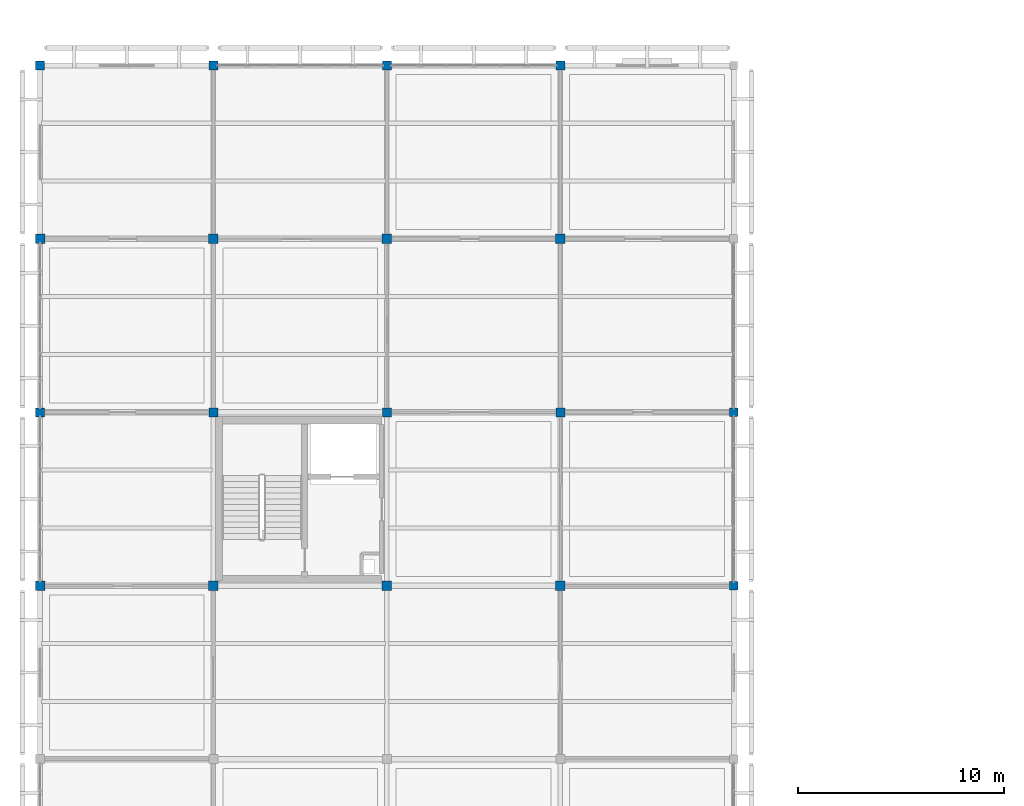
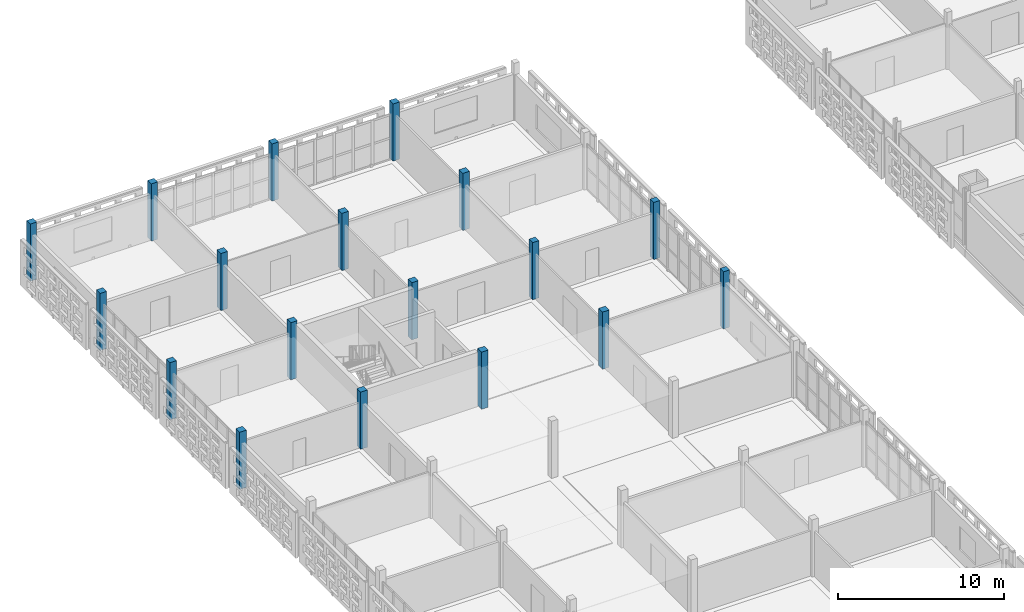
# One storey, part 3 of 140: 18 columns.
"""IFC4 building model written with IfcOpenShell, lengths in metres."""

import ifcopenshell
import ifcopenshell.guid

model = None  # the IFC model being written
_history = None  # IfcOwnerHistory: only IFC2X3 demands one
_inside = {}  # id of a spatial element -> (the spatial element, [elements in it])
_under = {}  # id of a project, library or spatial element -> (it, [spatial elements below it])
_declared = {}  # id of a project -> (the project, [libraries it declares])
_typed = {}  # id of a type object -> (the type object, [elements of that type])
_made_of = {}  # id of a material, layer set ... -> (it, [elements and type objects made of it])


def new_model(schema):
    """Start an empty IFC model of exactly this schema.

    Asked for "IFC4X3", IfcOpenShell would pick the latest addendum, in which some entities
    have other attributes; the version numbers below select the first issue.
    IFC2X3 requires an IfcOwnerHistory on every rooted entity: one is made here for all.
    """
    global model, _history
    if schema == "IFC4X3":
        model = ifcopenshell.file(schema_version=(4, 3, 0, 0))
    else:
        model = ifcopenshell.file(schema=schema)
    _inside.clear()
    _under.clear()
    _declared.clear()
    _typed.clear()
    _made_of.clear()
    _history = None
    if model.schema == "IFC2X3":
        org = make("IfcOrganization", Name="unknown")
        user = make(
            "IfcPersonAndOrganization",
            ThePerson=make("IfcPerson", FamilyName="unknown"),
            TheOrganization=org,
        )
        app = make(
            "IfcApplication",
            ApplicationDeveloper=org,
            Version="unknown",
            ApplicationFullName="unknown",
            ApplicationIdentifier="unknown",
        )
        _history = make(
            "IfcOwnerHistory",
            OwningUser=user,
            OwningApplication=app,
            ChangeAction="ADDED",
            CreationDate=0,
        )
    return model


def make(cls, **values):
    """One entity of the class cls with the attributes given. An attribute that is None is left unset."""
    return model.create_entity(
        cls, **{name: value for name, value in values.items() if value is not None}
    )


def rooted(cls, **values):
    """An entity with a GlobalId (a new one), such as an element, a storey or a relation."""
    return make(cls, GlobalId=ifcopenshell.guid.new(), OwnerHistory=_history, **values)


def si_unit(unit_type, name, prefix=None):
    """IfcSIUnit, for example si_unit("LENGTHUNIT", "METRE", prefix="MILLI")."""
    return make("IfcSIUnit", UnitType=unit_type, Prefix=prefix, Name=name)


def assignment(units):
    """IfcUnitAssignment: the units of a project."""
    return None if units is None else make("IfcUnitAssignment", Units=units)


def point(xyz):
    """IfcCartesianPoint."""
    return None if xyz is None else make("IfcCartesianPoint", Coordinates=xyz)


def direction(xyz):
    """IfcDirection."""
    return None if xyz is None else make("IfcDirection", DirectionRatios=xyz)


def frame(location, z_axis=None, x_axis=None):
    """IfcAxis2Placement3D, a coordinate frame: its origin and axes. An axis left out is left unset."""
    return make(
        "IfcAxis2Placement3D",
        Location=point(location),
        Axis=direction(z_axis),
        RefDirection=direction(x_axis),
    )


def frame_2d(location, x_axis=None):
    """IfcAxis2Placement2D, a coordinate frame in the plane: its origin and x axis."""
    return make(
        "IfcAxis2Placement2D", Location=point(location), RefDirection=direction(x_axis)
    )


def origin():
    """The frame at (0, 0, 0) with its axes left unset."""
    return frame((0.0, 0.0, 0.0))


def origin_2d():
    """The frame at (0, 0) in the plane with its x axis left unset."""
    return frame_2d((0.0, 0.0))


def place(relative_to, where):
    """IfcLocalPlacement: puts the frame where relative to a parent placement (None: the world)."""
    return make(
        "IfcLocalPlacement", PlacementRelTo=relative_to, RelativePlacement=where
    )


def context(
    kind, dimensions, precision=None, world=None, true_north=None, identifier=None
):
    """IfcGeometricRepresentationContext, for example the 3D "Model" context."""
    return make(
        "IfcGeometricRepresentationContext",
        ContextIdentifier=identifier,
        ContextType=kind,
        CoordinateSpaceDimension=dimensions,
        Precision=precision,
        WorldCoordinateSystem=world,
        TrueNorth=true_north,
    )


def subcontext(parent, identifier, kind, view, scale=None):
    """IfcGeometricRepresentationSubContext, for example "Body" below "Model"."""
    return make(
        "IfcGeometricRepresentationSubContext",
        ContextIdentifier=identifier,
        ContextType=kind,
        ParentContext=parent,
        TargetScale=scale,
        TargetView=view,
    )


def project(units=None, contexts=None):
    """IfcProject with its units and contexts."""
    return rooted(
        "IfcProject",
        Name="project",
        RepresentationContexts=contexts,
        UnitsInContext=assignment(units),
    )


def spatial(cls, under=None, at=None, **own):
    """A site, building, storey or space (cls), placed at a placement, below another one or the project."""
    s = rooted(cls, ObjectPlacement=at, **own)
    if under is not None:
        _under.setdefault(under.id(), (under, []))[1].append(s)
    return s


def profile(cls, at=None, kind="AREA", **sizes):
    """A parametric profile (cls). Its sizes go by their IFC names, for example OverallWidth=200.0."""
    return make(cls, ProfileType=kind, Position=at, **sizes)


def rectangle(**sizes):
    """IfcRectangleProfileDef."""
    return profile("IfcRectangleProfileDef", **sizes)


def extrude(swept, where, along, depth):
    """IfcExtrudedAreaSolid: the profile swept, set in the frame where, extruded along a direction by depth."""
    return make(
        "IfcExtrudedAreaSolid",
        SweptArea=swept,
        Position=where,
        ExtrudedDirection=direction(along),
        Depth=depth,
    )


def shape(context_of_items, identifier, shape_type, items):
    """IfcShapeRepresentation: the items that make up one representation, for example the "Body"."""
    return make(
        "IfcShapeRepresentation",
        ContextOfItems=context_of_items,
        RepresentationIdentifier=identifier,
        RepresentationType=shape_type,
        Items=items,
    )


def material(Name=None, Category=None):
    """IfcMaterial."""
    return make("IfcMaterial", Name=Name, Category=Category)


def material_profile(
    of_material, cross_section, Name=None, Category=None, Priority=None
):
    """IfcMaterialProfile: a cross section and its material."""
    return make(
        "IfcMaterialProfile",
        Name=Name,
        Material=of_material,
        Profile=cross_section,
        Priority=Priority,
        Category=Category,
    )


def profile_set(profiles, Name=None, composite=None):
    """IfcMaterialProfileSet."""
    return make(
        "IfcMaterialProfileSet",
        Name=Name,
        MaterialProfiles=profiles,
        CompositeProfile=composite,
    )


def made_of(thing, what):
    """Note that an element or type object is made of a material, layer set ...; save() writes the relation."""
    if what is not None:
        _made_of.setdefault(what.id(), (what, []))[1].append(thing)
    return thing


def type_object(cls, material=None, **own):
    """A type object (cls), such as IfcWallType, which elements share."""
    return made_of(rooted(cls, **own), material)


def element(
    cls,
    number,
    at=None,
    inside=None,
    cuts=None,
    type_object=None,
    material=None,
    context=None,
    identifier="Body",
    shape_type=None,
    held_by="IfcProductDefinitionShape",
    body=None,
    shapes=None,
    **own,
):
    """One element of the class cls, such as IfcWall. Its Tag is "e" and its number.

    at: its placement. inside: the storey or other place that contains it. cuts: it is an
    opening in that element (IfcRelVoidsElement). A single representation is given by context,
    identifier, shape_type and body (its items); several are given by shapes. held_by: the class
    of the entity that holds the representations. save() writes the other relations.
    """
    e = rooted(cls, Tag="e%d" % number, ObjectPlacement=at, **own)
    if body is not None:
        shapes = [shape(context, identifier, shape_type, body)]
    if shapes is not None:
        e.Representation = make(held_by, Representations=shapes)
    if inside is not None:
        _inside.setdefault(inside.id(), (inside, []))[1].append(e)
    if cuts is not None:
        rooted(
            "IfcRelVoidsElement", RelatingBuildingElement=cuts, RelatedOpeningElement=e
        )
    if type_object is not None:
        _typed.setdefault(type_object.id(), (type_object, []))[1].append(e)
    return made_of(e, material)


def aggregate(whole, parts):
    """IfcRelAggregates: a whole, such as a stair, and the parts it consists of."""
    return rooted("IfcRelAggregates", RelatingObject=whole, RelatedObjects=parts)


def save(model, path):
    """Write the relations noted so far, then the file.

    IfcRelAggregates (storeys below a building ...), IfcRelContainedInSpatialStructure (elements
    in a storey), IfcRelDefinesByType, IfcRelAssociatesMaterial and IfcRelDeclares: one each for
    every whole, place, type object, material and project.
    """
    for whole, parts in _under.values():
        aggregate(whole, parts)
    for where, things in _inside.values():
        rooted(
            "IfcRelContainedInSpatialStructure",
            RelatedElements=things,
            RelatingStructure=where,
        )
    for kind, things in _typed.values():
        rooted("IfcRelDefinesByType", RelatedObjects=things, RelatingType=kind)
    for what, things in _made_of.values():
        rooted("IfcRelAssociatesMaterial", RelatedObjects=things, RelatingMaterial=what)
    for by, libraries in _declared.values():
        rooted("IfcRelDeclares", RelatingContext=by, RelatedDefinitions=libraries)
    model.write(path)


model = new_model("IFC4")

# Units and contexts
model_context = context("Model", 3, precision=1e-05, world=origin(), true_north=direction((0.0, 1.0)))
body_context = subcontext(model_context, "Body", "Model", "MODEL_VIEW")
ifc_project = project(units=[si_unit("LENGTHUNIT", "METRE"), si_unit("AREAUNIT", "SQUARE_METRE"), si_unit("VOLUMEUNIT", "CUBIC_METRE"), si_unit("PLANEANGLEUNIT", "RADIAN"), si_unit("MASSUNIT", "GRAM", prefix="KILO")], contexts=[model_context])

# Site, building, storey
site_placement = place(None, origin())
site = spatial("IfcSite", under=ifc_project, at=site_placement, CompositionType="ELEMENT")
building_placement = place(site_placement, origin())
building = spatial("IfcBuilding", under=site, at=building_placement, Name="Varnapada Polytechnic", CompositionType="ELEMENT")
storey_placement = place(building_placement, frame((0.0, 0.0, 13.800048828125)))
storey = spatial("IfcBuildingStorey", under=building, at=storey_placement, Name="L03", CompositionType="ELEMENT", Elevation=13.800048828125)

# Columns
ifc_material = material(Name="Glulam GL32h", Category="wood")
ifc_material_profile_1 = material_profile(ifc_material, rectangle(XDim=0.4599609375, YDim=0.4599609375, at=origin_2d()), Name="GL 460x460")
ifc_profile_set_1 = profile_set([ifc_material_profile_1], Name="Glulam GL32h")
column_type_1 = type_object("IfcColumnType", Name="Column C-12 (GL 460x460)", PredefinedType="COLUMN", material=ifc_profile_set_1)
for number, where, z_axis, x_axis, name in (
    (1, (0.0, 100.800048828125, 0.0), (0.0, 0.0, 1.0), (1.0, 0.0, 0.0), "L03 column 1/13"),
    (2, (0.0, 117.60009765625, 0.0), (0.0, 0.0, 1.0), (1.0, 0.0, 0.0), "L03 column 1/15"),
    (3, (8.39990234375, 100.800048828125, 0.0), (0.0, 0.0, 1.0), (1.0, 0.0, 0.0), "L03 column 2/13"),
    (4, (8.39990234375, 117.60009765625, 0.0), (0.0, 0.0, 1.0), (1.0, 0.0, 0.0), "L03 column 2/15"),
    (5, (16.800048828125, 100.800048828125, 0.0), (0.0, 0.0, 1.0), (1.0, 0.0, 0.0), "L03 column 3/13"),
    (6, (16.800048828125, 117.60009765625, 0.0), (0.0, 0.0, 1.0), (1.0, 0.0, 0.0), "L03 column 3/15"),
    (7, (25.199951171875, 100.800048828125, 0.0), (0.0, 0.0, 1.0), (1.0, 0.0, 0.0), "L03 column 4/13"),
    (8, (25.199951171875, 117.60009765625, 0.0), (0.0, 0.0, 1.0), (1.0, 0.0, 0.0), "L03 column 4/15"),
):
    element("IfcColumn", number, at=place(storey_placement, frame(where, z_axis=z_axis, x_axis=x_axis)), inside=storey, type_object=column_type_1, Name=name, PredefinedType="COLUMN", context=body_context, shape_type="SweptSolid", body=[
        extrude(rectangle(XDim=0.4599609375, YDim=0.4599609375, at=origin_2d()), origin(), (0.0, 0.0, 1.0), 4.199951171875),
    ])
ifc_material_profile_2 = material_profile(ifc_material, rectangle(XDim=0.419921875, YDim=0.419921875, at=origin_2d()), Name="GL 420x420")
ifc_profile_set_2 = profile_set([ifc_material_profile_2], Name="Glulam GL32h")
column_type_2 = type_object("IfcColumnType", Name="Column C-23 (GL 420x420)", PredefinedType="COLUMN", material=ifc_profile_set_2)
for number, where, z_axis, x_axis, name in (
    (9, (33.60009765625, 100.800048828125, 0.0), (0.0, 0.0, 1.0), (1.0, 0.0, 0.0), "L03 column 5/13"),
    (10, (33.60009765625, 109.199951171875, 0.0), (0.0, 0.0, 1.0), (1.0, 0.0, 0.0), "L03 column 5/14"),
):
    element("IfcColumn", number, at=place(storey_placement, frame(where, z_axis=z_axis, x_axis=x_axis)), inside=storey, type_object=column_type_2, Name=name, PredefinedType="COLUMN", context=body_context, shape_type="SweptSolid", body=[
        extrude(rectangle(XDim=0.419921875, YDim=0.419921875, at=origin_2d()), origin(), (0.0, 0.0, 1.0), 4.199951171875),
    ])
ifc_material_profile_3 = material_profile(ifc_material, rectangle(XDim=0.43994140625, YDim=0.43994140625, at=origin_2d()), Name="GL 440x440")
ifc_profile_set_3 = profile_set([ifc_material_profile_3], Name="Glulam GL32h")
column_type_3 = type_object("IfcColumnType", Name="Column C-26 (GL 440x440)", PredefinedType="COLUMN", material=ifc_profile_set_3)
for number, where, z_axis, x_axis, name in (
    (11, (0.0, 109.199951171875, 0.0), (0.0, 0.0, 1.0), (1.0, 0.0, 0.0), "L03 column 1/14"),
    (12, (0.0, 126.0, 0.0), (0.0, 0.0, 1.0), (1.0, 0.0, 0.0), "L03 column 1/16"),
    (13, (8.39990234375, 109.199951171875, 0.0), (0.0, 0.0, 1.0), (1.0, 0.0, 0.0), "L03 column 2/14"),
    (14, (8.39990234375, 126.0, 0.0), (0.0, 0.0, 1.0), (1.0, 0.0, 0.0), "L03 column 2/16"),
    (15, (16.800048828125, 109.199951171875, 0.0), (0.0, 0.0, 1.0), (1.0, 0.0, 0.0), "L03 column 3/14"),
    (16, (16.800048828125, 126.0, 0.0), (0.0, 0.0, 1.0), (1.0, 0.0, 0.0), "L03 column 3/16"),
    (17, (25.199951171875, 109.199951171875, 0.0), (0.0, 0.0, 1.0), (1.0, 0.0, 0.0), "L03 column 4/14"),
    (18, (25.199951171875, 126.0, 0.0), (0.0, 0.0, 1.0), (1.0, 0.0, 0.0), "L03 column 4/16"),
):
    element("IfcColumn", number, at=place(storey_placement, frame(where, z_axis=z_axis, x_axis=x_axis)), inside=storey, type_object=column_type_3, Name=name, PredefinedType="COLUMN", context=body_context, shape_type="SweptSolid", body=[
        extrude(rectangle(XDim=0.43994140625, YDim=0.43994140625, at=origin_2d()), origin(), (0.0, 0.0, 1.0), 4.199951171875),
    ])

save(model, "model.ifc")
